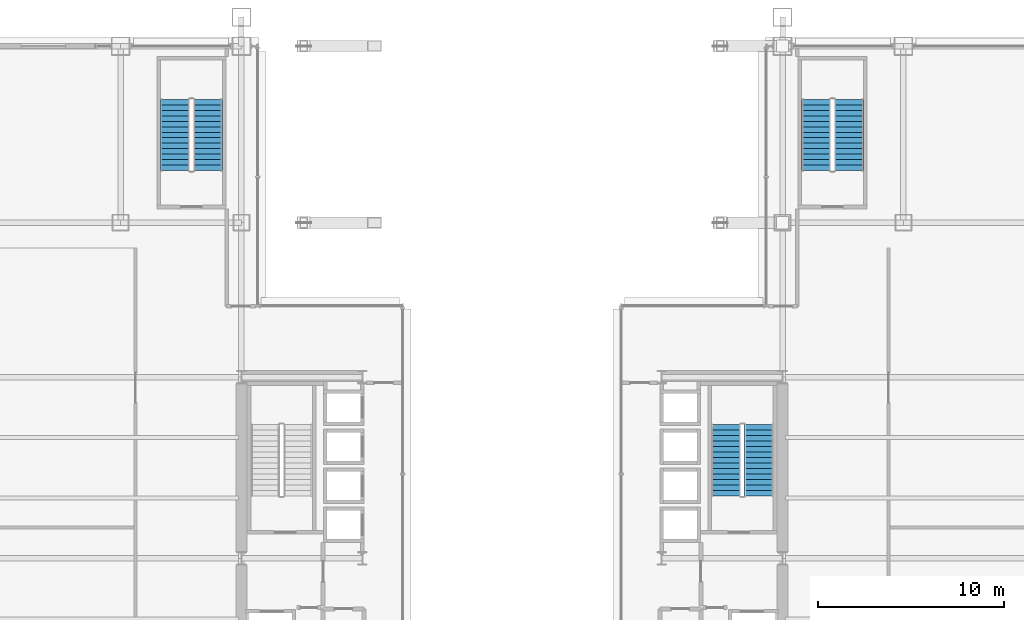
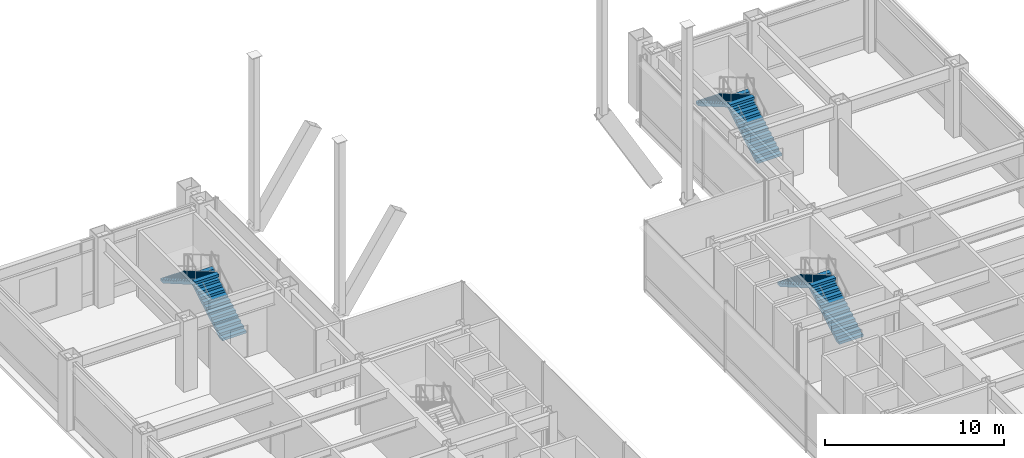
# One storey, part 38 of 40: 6 stair flights, 3 elements without a shape of their own.
"""IFC4 building model written with IfcOpenShell, lengths in metres."""

from ifc_helpers import new_model, si_unit, direction, frame, origin, place, context, subcontext, project, spatial, polyline, outline, extrude, material, type_object, element, aggregate, save


model = new_model("IFC4")

# Units and contexts
model_context = context("Model", 3, precision=1e-05, world=origin(), true_north=direction((0.0, 1.0)))
body_context = subcontext(model_context, "Body", "Model", "MODEL_VIEW")
ifc_project = project(units=[si_unit("LENGTHUNIT", "METRE"), si_unit("AREAUNIT", "SQUARE_METRE"), si_unit("VOLUMEUNIT", "CUBIC_METRE"), si_unit("PLANEANGLEUNIT", "RADIAN"), si_unit("MASSUNIT", "GRAM", prefix="KILO")], contexts=[model_context])

# Site, building, storey
site_placement = place(None, origin())
site = spatial("IfcSite", under=ifc_project, at=site_placement, CompositionType="ELEMENT")
building_placement = place(site_placement, origin())
building = spatial("IfcBuilding", under=site, at=building_placement, Name="Brelmoor Portico Tower", CompositionType="ELEMENT")
storey_placement = place(building_placement, frame((0.0, 0.0, 4.800048828125)))
storey = spatial("IfcBuildingStorey", under=building, at=storey_placement, Name="L01", CompositionType="ELEMENT", Elevation=4.800048828125)

# Stair, stair flights
ifc_material = material(Name="Concrete C40", Category="concrete")
stair_type_1 = type_object("IfcStairType", Name="ST-CORE-E", PredefinedType="HALF_TURN_STAIR", material=ifc_material)
stair_1_placement = place(storey_placement, origin())
stair_1 = element("IfcStair", 1, at=stair_1_placement, inside=storey, type_object=stair_type_1, Name="L01 Protected Core Exit Stair ST-E", PredefinedType="HALF_TURN_STAIR")
stair_flight_type = type_object("IfcStairFlightType", Name="SF-CORE-1850", PredefinedType="STRAIGHT", material=ifc_material)
stair_flight_1_placement = place(storey_placement, frame((13.27001953125, 3.35009765625, 0.0), z_axis=(0.0, 0.0, 1.0), x_axis=(0.0, 1.0, 0.0)))
stair_flight_1 = element("IfcStairFlight", 2, at=stair_flight_1_placement, type_object=stair_flight_type, Name="ST-E flight 1", NumberOfRisers=14, NumberOfTreads=13, PredefinedType="STRAIGHT", RiserHeight=0.171428571, TreadLength=0.295, context=body_context, shape_type="SweptSolid", body=[
    extrude(outline(polyline([(0.0, 0.0), (0.0, 0.17138671875), (0.294921875, 0.17138671875), (0.294921875, 0.3427734375), (0.590087890625, 0.3427734375), (0.590087890625, 0.514404296875), (0.885009765625, 0.514404296875), (0.885009765625, 0.685791015625), (1.179931640625, 0.685791015625), (1.179931640625, 0.857177734375), (1.47509765625, 0.857177734375), (1.47509765625, 1.028564453125), (1.77001953125, 1.028564453125), (1.77001953125, 1.199951171875), (2.06494140625, 1.199951171875), (2.06494140625, 1.371337890625), (2.360107421875, 1.371337890625), (2.360107421875, 1.54296875), (2.655029296875, 1.54296875), (2.655029296875, 1.71435546875), (2.949951171875, 1.71435546875), (2.949951171875, 1.8857421875), (3.2451171875, 1.8857421875), (3.2451171875, 2.05712890625), (3.5400390625, 2.05712890625), (3.5400390625, 2.228515625), (3.8349609375, 2.228515625), (3.8349609375, 2.39990234375), (3.8349609375, 2.05517578125), (0.29833984375, 0.0), (0.0, 0.0)])), frame((0.0, 0.780029296875, 0.0), z_axis=(0.0, -1.0, 0.0), x_axis=(1.0, 0.0, 0.0)), (0.0, 0.0, 1.0), 1.56005859375),
])
stair_flight_2_placement = place(storey_placement, frame((11.510009765625, 7.18505859375, 2.39990234375), z_axis=(0.0, 0.0, 1.0), x_axis=(0.0, -1.0, 0.0)))
stair_flight_2 = element("IfcStairFlight", 3, at=stair_flight_2_placement, type_object=stair_flight_type, Name="ST-E flight 2", NumberOfRisers=14, NumberOfTreads=13, PredefinedType="STRAIGHT", RiserHeight=0.171428571, TreadLength=0.295, context=body_context, shape_type="SweptSolid", body=[
    extrude(outline(polyline([(0.0, 0.0), (0.0, 0.17138671875), (0.294921875, 0.17138671875), (0.294921875, 0.3427734375), (0.590087890625, 0.3427734375), (0.590087890625, 0.514404296875), (0.885009765625, 0.514404296875), (0.885009765625, 0.685791015625), (1.179931640625, 0.685791015625), (1.179931640625, 0.857177734375), (1.47509765625, 0.857177734375), (1.47509765625, 1.028564453125), (1.77001953125, 1.028564453125), (1.77001953125, 1.199951171875), (2.06494140625, 1.199951171875), (2.06494140625, 1.371337890625), (2.360107421875, 1.371337890625), (2.360107421875, 1.54296875), (2.655029296875, 1.54296875), (2.655029296875, 1.71435546875), (2.949951171875, 1.71435546875), (2.949951171875, 1.8857421875), (3.2451171875, 1.8857421875), (3.2451171875, 2.05712890625), (3.5400390625, 2.05712890625), (3.5400390625, 2.228515625), (3.8349609375, 2.228515625), (3.8349609375, 2.39990234375), (3.8349609375, 2.05517578125), (0.29833984375, 0.0), (0.0, 0.0)])), frame((0.0, 0.780029296875, 0.0), z_axis=(0.0, -1.0, 0.0), x_axis=(1.0, 0.0, 0.0)), (0.0, 0.0, 1.0), 1.56005859375),
])
aggregate(stair_1, [stair_flight_1, stair_flight_2])

stair_type_2 = type_object("IfcStairType", Name="ST-POD-P1", PredefinedType="HALF_TURN_STAIR", material=ifc_material)
stair_2_placement = place(storey_placement, origin())
stair_2 = element("IfcStair", 4, at=stair_2_placement, inside=storey, type_object=stair_type_2, Name="L01 Podium Protected Exit Stair ST-P1", PredefinedType="HALF_TURN_STAIR")
stair_flight_3_placement = place(storey_placement, frame((-16.360107421875, 20.85009765625, 0.0), z_axis=(0.0, 0.0, 1.0), x_axis=(0.0, 1.0, 0.0)))
stair_flight_3 = element("IfcStairFlight", 5, at=stair_flight_3_placement, type_object=stair_flight_type, Name="ST-P1 flight 1", NumberOfRisers=14, NumberOfTreads=13, PredefinedType="STRAIGHT", RiserHeight=0.171428571, TreadLength=0.295, context=body_context, shape_type="SweptSolid", body=[
    extrude(outline(polyline([(0.0, 0.0), (0.0, 0.17138671875), (0.294921875, 0.17138671875), (0.294921875, 0.3427734375), (0.590087890625, 0.3427734375), (0.590087890625, 0.514404296875), (0.885009765625, 0.514404296875), (0.885009765625, 0.685791015625), (1.179931640625, 0.685791015625), (1.179931640625, 0.857177734375), (1.47509765625, 0.857177734375), (1.47509765625, 1.028564453125), (1.77001953125, 1.028564453125), (1.77001953125, 1.199951171875), (2.06494140625, 1.199951171875), (2.06494140625, 1.371337890625), (2.360107421875, 1.371337890625), (2.360107421875, 1.54296875), (2.655029296875, 1.54296875), (2.655029296875, 1.71435546875), (2.949951171875, 1.71435546875), (2.949951171875, 1.8857421875), (3.2451171875, 1.8857421875), (3.2451171875, 2.05712890625), (3.5400390625, 2.05712890625), (3.5400390625, 2.228515625), (3.8349609375, 2.228515625), (3.8349609375, 2.39990234375), (3.8349609375, 2.05517578125), (0.29833984375, 0.0), (0.0, 0.0)])), frame((0.0, 0.780029296875, 0.0), z_axis=(0.0, -1.0, 0.0), x_axis=(1.0, 0.0, 0.0)), (0.0, 0.0, 1.0), 1.56005859375),
])
stair_flight_4_placement = place(storey_placement, frame((-18.1201171875, 24.68505859375, 2.39990234375), z_axis=(0.0, 0.0, 1.0), x_axis=(0.0, -1.0, 0.0)))
stair_flight_4 = element("IfcStairFlight", 6, at=stair_flight_4_placement, type_object=stair_flight_type, Name="ST-P1 flight 2", NumberOfRisers=14, NumberOfTreads=13, PredefinedType="STRAIGHT", RiserHeight=0.171428571, TreadLength=0.295, context=body_context, shape_type="SweptSolid", body=[
    extrude(outline(polyline([(0.0, 0.0), (0.0, 0.17138671875), (0.294921875, 0.17138671875), (0.294921875, 0.3427734375), (0.590087890625, 0.3427734375), (0.590087890625, 0.514404296875), (0.885009765625, 0.514404296875), (0.885009765625, 0.685791015625), (1.179931640625, 0.685791015625), (1.179931640625, 0.857177734375), (1.47509765625, 0.857177734375), (1.47509765625, 1.028564453125), (1.77001953125, 1.028564453125), (1.77001953125, 1.199951171875), (2.06494140625, 1.199951171875), (2.06494140625, 1.371337890625), (2.360107421875, 1.371337890625), (2.360107421875, 1.54296875), (2.655029296875, 1.54296875), (2.655029296875, 1.71435546875), (2.949951171875, 1.71435546875), (2.949951171875, 1.8857421875), (3.2451171875, 1.8857421875), (3.2451171875, 2.05712890625), (3.5400390625, 2.05712890625), (3.5400390625, 2.228515625), (3.8349609375, 2.228515625), (3.8349609375, 2.39990234375), (3.8349609375, 2.05517578125), (0.29833984375, 0.0), (0.0, 0.0)])), frame((0.0, 0.780029296875, 0.0), z_axis=(0.0, -1.0, 0.0), x_axis=(1.0, 0.0, 0.0)), (0.0, 0.0, 1.0), 1.56005859375),
])
aggregate(stair_2, [stair_flight_3, stair_flight_4])

stair_type_3 = type_object("IfcStairType", Name="ST-POD-P2", PredefinedType="HALF_TURN_STAIR", material=ifc_material)
stair_3_placement = place(storey_placement, origin())
stair_3 = element("IfcStair", 7, at=stair_3_placement, inside=storey, type_object=stair_type_3, Name="L01 Podium Protected Exit Stair ST-P2", PredefinedType="HALF_TURN_STAIR")
stair_flight_5_placement = place(storey_placement, frame((18.1201171875, 20.85009765625, 0.0), z_axis=(0.0, 0.0, 1.0), x_axis=(0.0, 1.0, 0.0)))
stair_flight_5 = element("IfcStairFlight", 8, at=stair_flight_5_placement, type_object=stair_flight_type, Name="ST-P2 flight 1", NumberOfRisers=14, NumberOfTreads=13, PredefinedType="STRAIGHT", RiserHeight=0.171428571, TreadLength=0.295, context=body_context, shape_type="SweptSolid", body=[
    extrude(outline(polyline([(0.0, 0.0), (0.0, 0.17138671875), (0.294921875, 0.17138671875), (0.294921875, 0.3427734375), (0.590087890625, 0.3427734375), (0.590087890625, 0.514404296875), (0.885009765625, 0.514404296875), (0.885009765625, 0.685791015625), (1.179931640625, 0.685791015625), (1.179931640625, 0.857177734375), (1.47509765625, 0.857177734375), (1.47509765625, 1.028564453125), (1.77001953125, 1.028564453125), (1.77001953125, 1.199951171875), (2.06494140625, 1.199951171875), (2.06494140625, 1.371337890625), (2.360107421875, 1.371337890625), (2.360107421875, 1.54296875), (2.655029296875, 1.54296875), (2.655029296875, 1.71435546875), (2.949951171875, 1.71435546875), (2.949951171875, 1.8857421875), (3.2451171875, 1.8857421875), (3.2451171875, 2.05712890625), (3.5400390625, 2.05712890625), (3.5400390625, 2.228515625), (3.8349609375, 2.228515625), (3.8349609375, 2.39990234375), (3.8349609375, 2.05517578125), (0.29833984375, 0.0), (0.0, 0.0)])), frame((0.0, 0.780029296875, 0.0), z_axis=(0.0, -1.0, 0.0), x_axis=(1.0, 0.0, 0.0)), (0.0, 0.0, 1.0), 1.56005859375),
])
stair_flight_6_placement = place(storey_placement, frame((16.360107421875, 24.68505859375, 2.39990234375), z_axis=(0.0, 0.0, 1.0), x_axis=(0.0, -1.0, 0.0)))
stair_flight_6 = element("IfcStairFlight", 9, at=stair_flight_6_placement, type_object=stair_flight_type, Name="ST-P2 flight 2", NumberOfRisers=14, NumberOfTreads=13, PredefinedType="STRAIGHT", RiserHeight=0.171428571, TreadLength=0.295, context=body_context, shape_type="SweptSolid", body=[
    extrude(outline(polyline([(0.0, 0.0), (0.0, 0.17138671875), (0.294921875, 0.17138671875), (0.294921875, 0.3427734375), (0.590087890625, 0.3427734375), (0.590087890625, 0.514404296875), (0.885009765625, 0.514404296875), (0.885009765625, 0.685791015625), (1.179931640625, 0.685791015625), (1.179931640625, 0.857177734375), (1.47509765625, 0.857177734375), (1.47509765625, 1.028564453125), (1.77001953125, 1.028564453125), (1.77001953125, 1.199951171875), (2.06494140625, 1.199951171875), (2.06494140625, 1.371337890625), (2.360107421875, 1.371337890625), (2.360107421875, 1.54296875), (2.655029296875, 1.54296875), (2.655029296875, 1.71435546875), (2.949951171875, 1.71435546875), (2.949951171875, 1.8857421875), (3.2451171875, 1.8857421875), (3.2451171875, 2.05712890625), (3.5400390625, 2.05712890625), (3.5400390625, 2.228515625), (3.8349609375, 2.228515625), (3.8349609375, 2.39990234375), (3.8349609375, 2.05517578125), (0.29833984375, 0.0), (0.0, 0.0)])), frame((0.0, 0.780029296875, 0.0), z_axis=(0.0, -1.0, 0.0), x_axis=(1.0, 0.0, 0.0)), (0.0, 0.0, 1.0), 1.56005859375),
])
aggregate(stair_3, [stair_flight_5, stair_flight_6])

save(model, "model.ifc")
